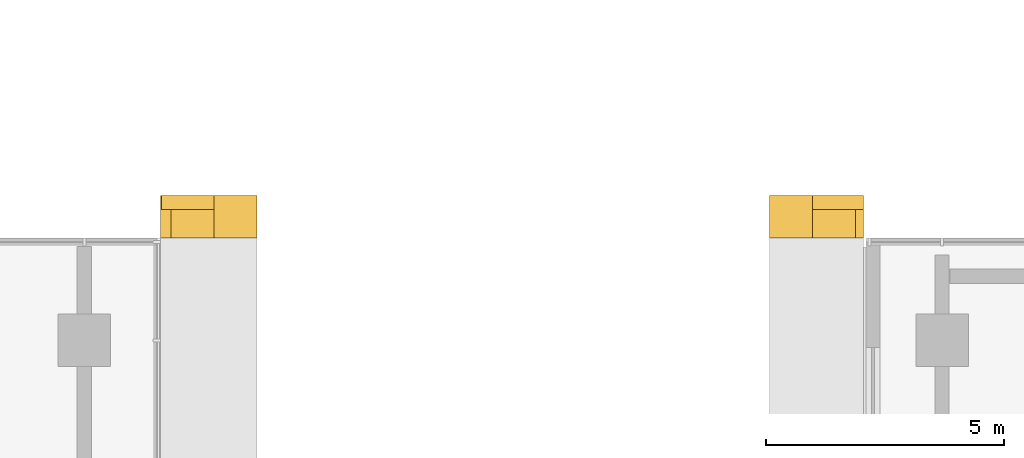
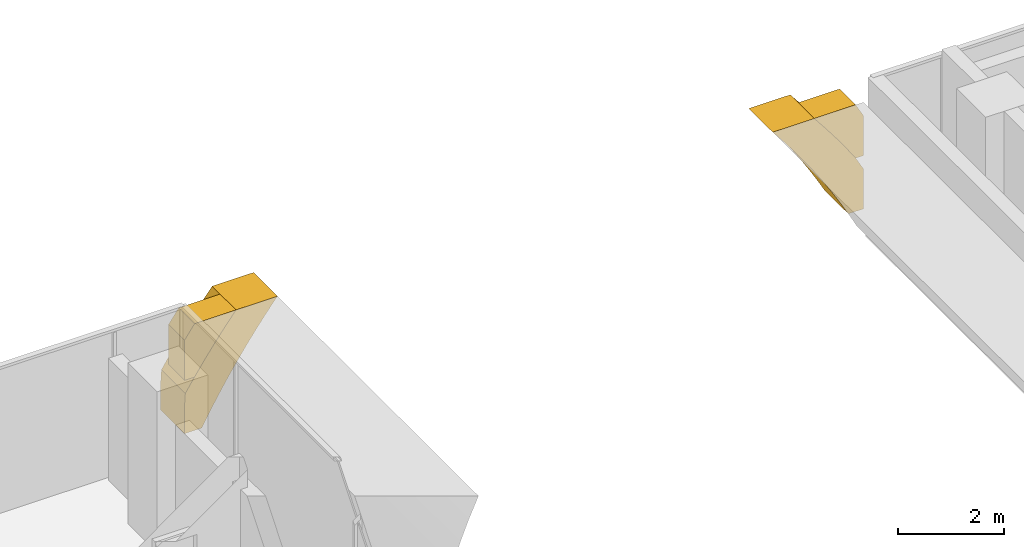
# One storey, part 22 of 23: 4 coverings.
"""IFC4 building model written with IfcOpenShell, lengths in metres."""

from ifc_helpers import new_model, si_unit, direction, frame, origin, place, context, subcontext, project, spatial, polyline, outline, extrude, material, layer, layer_set, type_object, element, save


model = new_model("IFC4")

# Units and contexts
model_context = context("Model", 3, precision=1e-05, world=origin(), true_north=direction((0.0, 1.0)))
body_context = subcontext(model_context, "Body", "Model", "MODEL_VIEW")
ifc_project = project(units=[si_unit("LENGTHUNIT", "METRE"), si_unit("AREAUNIT", "SQUARE_METRE"), si_unit("VOLUMEUNIT", "CUBIC_METRE"), si_unit("PLANEANGLEUNIT", "RADIAN"), si_unit("MASSUNIT", "GRAM", prefix="KILO")], contexts=[model_context])

# Site, building, storey
site_placement = place(None, origin())
site = spatial("IfcSite", under=ifc_project, at=site_placement, CompositionType="ELEMENT")
building_placement = place(site_placement, origin())
building = spatial("IfcBuilding", under=site, at=building_placement, Name="Ogive Portal Towers", CompositionType="ELEMENT")
storey_placement = place(building_placement, frame((0.0, 0.0, 175.5)))
storey = spatial("IfcBuildingStorey", under=building, at=storey_placement, Name="L43", CompositionType="ELEMENT", Elevation=175.5)

# Coverings
ifc_material = material(Name="Limestone cladding on lightweight block wall", Category="masonry")
ifc_layer = layer(ifc_material, 0.60009765625)
ifc_layer_set = layer_set([ifc_layer], Name="PORTAL ARCHIVOLT STONE")
covering_type = type_object("IfcCoveringType", Name="PORTAL ARCHIVOLT STONE", PredefinedType="CLADDING", material=ifc_layer_set)
covering_1_placement = place(storey_placement, frame((83.523193359375, 42.544921875, 0.35009765625), z_axis=(0.0, 1.0, 0.0), x_axis=(-0.488476231878, 0.0, 0.872577200533)))
element("IfcCovering", 1, at=covering_1_placement, inside=storey, type_object=covering_type, Name="PORTAL ARCHIVOLT E L43", PredefinedType="CLADDING", context=body_context, shape_type="SweptSolid", body=[
    extrude(outline(polyline([(0.0, 0.0), (0.3508598936149724, 0.0), (0.7061322922542294, -0.007882167094662107), (1.06603022746087, -0.02352724439143805), (1.4304854068263406, -0.047812840304721105), (1.7998301187862886, -0.08083272948506237), (2.174635165561458, -0.12310674966921009), (2.554687515608749, -0.17475415774971292), (2.9403704218478044, -0.23695936833461362), (2.500789515915028, 0.5482748995282088), (2.1151066096759727, 0.6104801101131097), (1.7349350027361334, 0.6623405497367113), (1.3602492128535124, 0.7044015383777602), (0.9909045008935642, 0.7374214275581015), (0.6419527175593636, 0.7340129228685177), (0.3745981309701496, 0.584345522720489), (0.10745657592403471, 0.4347973794650084), (-0.15968497912208016, 0.2852492362095278), (0.0, 0.0)])), origin(), (0.0, 0.0, -1.0), 0.89990234375),
])
covering_2_placement = place(storey_placement, frame((83.6826171875, 42.2451171875, 1.574951171875), z_axis=(0.0, 1.0, 0.0), x_axis=(-0.564235385534, 0.0, 0.825613971364)))
element("IfcCovering", 2, at=covering_2_placement, inside=storey, type_object=covering_type, Name="PORTAL ARCHIVOLT E L43", PredefinedType="CLADDING", context=body_context, shape_type="SweptSolid", body=[
    extrude(outline(polyline([(0.0, 0.0), (0.37081778454418696, 0.0), (0.7477605045252168, -0.008529581392364927), (1.1310398523711258, -0.026331194689699022), (1.5207297677302791, -0.053945724493628444), (1.0128352690822477, 0.6892277892807371), (0.6641956820651377, 0.6567756776133454), (0.4112304637882652, 0.4838959391258816), (0.1582652455113927, 0.31101620063841773), (-0.09449840685450217, 0.1382742149306251), (0.0, 0.0)])), origin(), (0.0, 0.0, -1.0), 0.60009765625),
])
covering_3_placement = place(storey_placement, frame((69.476806640625, 41.64501953125, 0.35009765625), z_axis=(0.0, -1.0, 0.0), x_axis=(0.488476231878, 0.0, 0.872577200533)))
element("IfcCovering", 3, at=covering_3_placement, inside=storey, type_object=covering_type, Name="PORTAL ARCHIVOLT W L43", PredefinedType="CLADDING", context=body_context, shape_type="SweptSolid", body=[
    extrude(outline(polyline([(0.0, 0.0), (0.3508598936149724, 0.0), (0.7061322922542294, -0.007882167094662107), (1.06603022746087, -0.02352724439143805), (1.4304854068263406, -0.047812840304721105), (1.7998301187862886, -0.08083272948506237), (2.174635165561458, -0.12310674966921009), (2.554687515608749, -0.17475415774971292), (2.9403704218478044, -0.23695936833461362), (2.500789515915028, 0.5482748995282088), (2.1151066096759727, 0.6104801101131097), (1.7349350027361334, 0.6623405497367113), (1.3602492128535124, 0.7044015383777602), (0.9909045008935642, 0.7374214275581015), (0.6264493215280936, 0.7617070234713845), (0.3502697248903106, 0.6278039575126799), (0.08312816984419577, 0.4782558142571993), (-0.1840133852019191, 0.3287076710017187), (0.0, 0.0)])), origin(), (0.0, 0.0, -1.0), 0.89990234375),
])
covering_4_placement = place(storey_placement, frame((69.3173828125, 41.64501953125, 1.574951171875), z_axis=(0.0, -1.0, 0.0), x_axis=(0.564235385534, 0.0, 0.825613971364)))
element("IfcCovering", 4, at=covering_4_placement, inside=storey, type_object=covering_type, Name="PORTAL ARCHIVOLT W L43", PredefinedType="CLADDING", context=body_context, shape_type="SweptSolid", body=[
    extrude(outline(polyline([(0.0, 0.0), (0.37081778454418696, 0.0), (0.7477605045252168, -0.008529581392364927), (1.1310398523711258, -0.026331194689699022), (1.5207297677302791, -0.053945724493628444), (1.0128352690822477, 0.6892277892807371), (0.6360941150121954, 0.6978951234527733), (0.3831288967353229, 0.5250153849653094), (0.13016367845845037, 0.35213564647784557), (-0.12259997390744451, 0.17939366077005298), (0.0, 0.0)])), origin(), (0.0, 0.0, -1.0), 0.60009765625),
])

save(model, "model.ifc")
